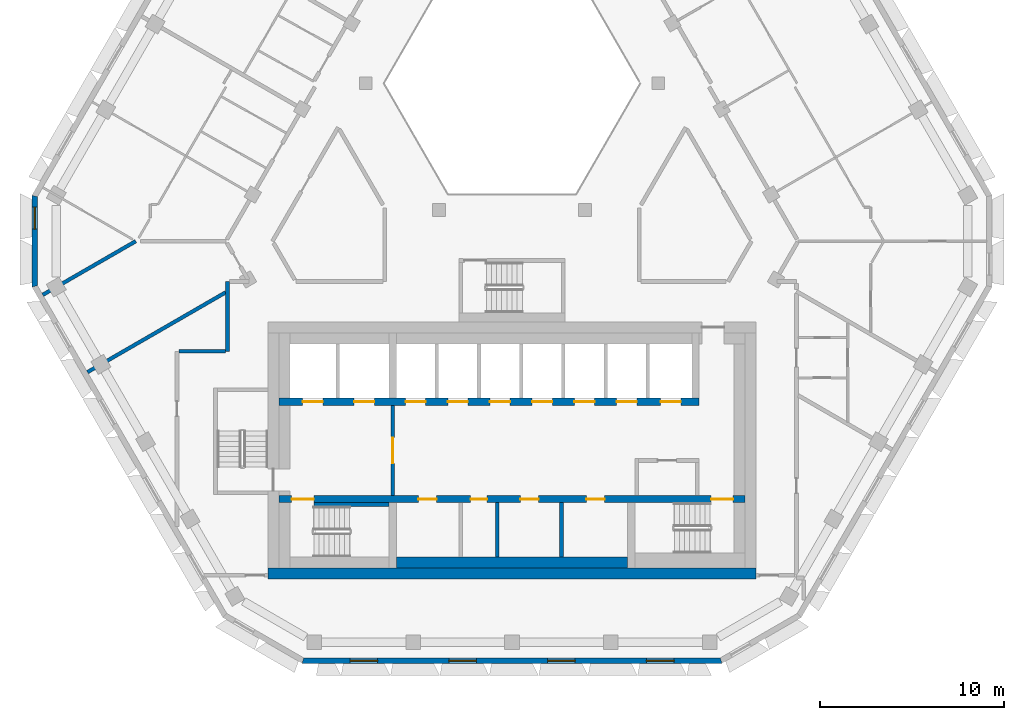
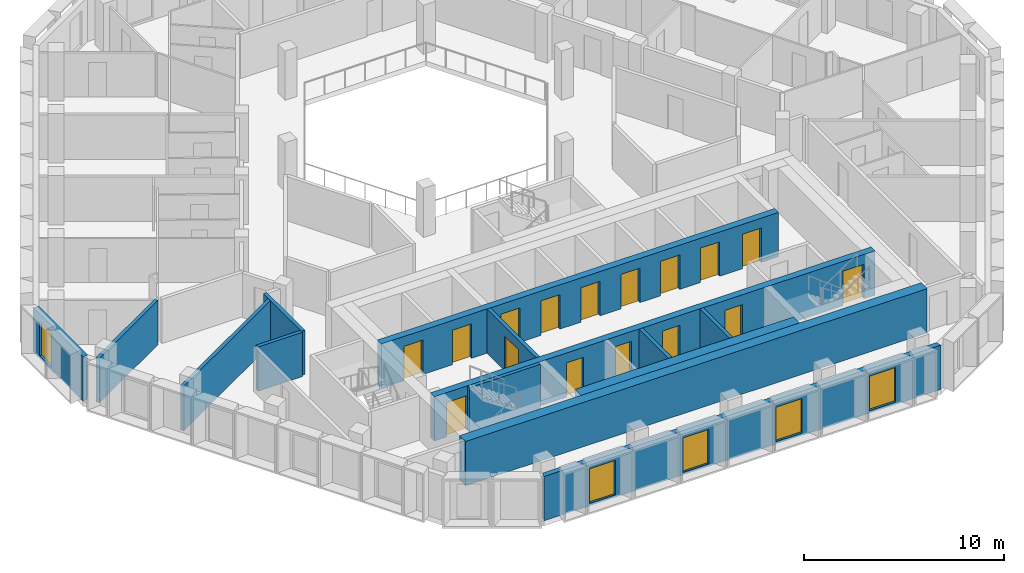
# One storey, part 3 of 15: 16 doors, 14 walls, 5 windows, 21 openings.
"""IFC4 building model written with IfcOpenShell, lengths in metres."""

from ifc_helpers import new_model, si_unit, direction, frame, frame_2d, origin, place, context, subcontext, project, spatial, polyline, rectangle, outline, extrude, material, layer, layer_set, type_object, element, fill, save


model = new_model("IFC4")

# Units and contexts
model_context = context("Model", 3, precision=1e-05, world=origin(), true_north=direction((0.0, 1.0)))
body_context = subcontext(model_context, "Body", "Model", "MODEL_VIEW")
ifc_project = project(units=[si_unit("LENGTHUNIT", "METRE"), si_unit("AREAUNIT", "SQUARE_METRE"), si_unit("VOLUMEUNIT", "CUBIC_METRE"), si_unit("PLANEANGLEUNIT", "RADIAN"), si_unit("MASSUNIT", "GRAM", prefix="KILO")], contexts=[model_context])

# Site, building, storey
site_placement = place(None, origin())
site = spatial("IfcSite", under=ifc_project, at=site_placement, CompositionType="ELEMENT")
building_placement = place(site_placement, origin())
building = spatial("IfcBuilding", under=site, at=building_placement, Name="Beryl Residences", CompositionType="ELEMENT")
storey_placement = place(building_placement, frame((0.0, 0.0, 163.199951171875)))
storey = spatial("IfcBuildingStorey", under=building, at=storey_placement, Name="L49", CompositionType="ELEMENT", Elevation=163.199951171875)

# Wall, opening, window
ifc_material_1 = material(Name="Composite metal panel with mineral wool insulation")
ifc_layer_1 = layer(ifc_material_1, 0.300048828125)
ifc_layer_set_1 = layer_set([ifc_layer_1], Name="ES1 pale metal composite panel wall 300 mm")
wall_type_1 = type_object("IfcWallType", Name="ES1 pale metal composite panel wall 300 mm", PredefinedType="SOLIDWALL", material=ifc_layer_set_1)
wall_1_placement = place(storey_placement, frame((-26.00390625, 1.89990234375, 0.0), z_axis=(0.0, 0.0, 1.0), x_axis=(0.0, -1.0, 0.0)))
wall_1 = element("IfcWall", 1, at=wall_1_placement, inside=storey, type_object=wall_type_1, Name="ES1 external wall L49 NW-SW", PredefinedType="SOLIDWALL", context=body_context, shape_type="SweptSolid", body=[
    extrude(outline(polyline([(0.0, -0.14990234375), (5.0, -0.14990234375), (4.919677734375, 0.14990234375), (0.080322265625, 0.14990234375), (0.0, -0.14990234375)])), origin(), (0.0, 0.0, 1.0), 2.699951171875),
])
opening_1_placement = place(wall_1_placement, frame((0.64990234375, 0.0, 0.14990234375)))
opening_1 = element("IfcOpeningElement", 2, at=opening_1_placement, cuts=wall_1, Name="Opening W2", PredefinedType="OPENING", context=body_context, shape_type="SweptSolid", body=[
    extrude(rectangle(XDim=1.199951171875, YDim=2.10009765625, at=frame_2d((0.60009765625, 1.050048828125))), frame((0.0, 0.159912109375, 0.0), z_axis=(0.0, -1.0, 0.0), x_axis=(1.0, 0.0, 0.0)), (0.0, 0.0, 1.0), 0.320068359375),
])
ifc_material_2 = material(Name="Aluminium and clear glass", Category="aluminium")
window_type_1 = type_object("IfcWindowType", Name="W2 chamfer window 1200 x 2100 mm", PartitioningType="SINGLE_PANEL", PredefinedType="WINDOW", material=ifc_material_2)
window_1_placement = place(opening_1_placement, origin())
window_1 = element("IfcWindow", 3, at=window_1_placement, inside=storey, type_object=window_type_1, Name="W2 window L49 NW-SW 1", OverallHeight=2.10009765625, OverallWidth=1.199951171875, PartitioningType="SINGLE_PANEL", PredefinedType="WINDOW", context=body_context, shape_type="SweptSolid", body=[
    extrude(rectangle(XDim=1.199951171875, YDim=2.10009765625, at=frame_2d((0.60009765625, 1.050048828125))), frame((0.0, 0.030029296875, 0.0), z_axis=(0.0, -1.0, 0.0), x_axis=(1.0, 0.0, 0.0)), (0.0, 0.0, 1.0), 0.06005859375),
])
fill(opening_1, window_1)

# Wall, openings, windows
wall_2_placement = place(storey_placement, frame((-11.430908203125, -23.449951171875, 0.0), z_axis=(0.0, 0.0, 1.0), x_axis=(1.0, 0.0, 0.0)))
wall_2 = element("IfcWall", 4, at=wall_2_placement, inside=storey, type_object=wall_type_1, Name="ES1 external wall L49 S", PredefinedType="SOLIDWALL", context=body_context, shape_type="SweptSolid", body=[
    extrude(outline(polyline([(0.0, -0.14990234375), (22.86181640625, -0.14990234375), (22.781494140625, 0.14990234375), (0.080322265625, 0.14990234375), (0.0, -0.14990234375)])), origin(), (0.0, 0.0, 1.0), 2.699951171875),
])
opening_2_placement = place(wall_2_placement, frame((2.60595703125, 0.0, 0.14990234375)))
opening_2 = element("IfcOpeningElement", 5, at=opening_2_placement, cuts=wall_2, Name="Opening W1", PredefinedType="OPENING", context=body_context, shape_type="SweptSolid", body=[
    extrude(rectangle(XDim=1.5, YDim=2.10009765625, at=frame_2d((0.75, 1.050048828125))), frame((0.0, 0.159912109375, 0.0), z_axis=(0.0, -1.0, 0.0), x_axis=(1.0, 0.0, 0.0)), (0.0, 0.0, 1.0), 0.320068359375),
])
opening_3_placement = place(wall_2_placement, frame((7.989990234375, 0.0, 0.14990234375)))
opening_3 = element("IfcOpeningElement", 6, at=opening_3_placement, cuts=wall_2, Name="Opening W1", PredefinedType="OPENING", context=body_context, shape_type="SweptSolid", body=[
    extrude(rectangle(XDim=1.5, YDim=2.10009765625, at=frame_2d((0.75, 1.050048828125))), frame((0.0, 0.159912109375, 0.0), z_axis=(0.0, -1.0, 0.0), x_axis=(1.0, 0.0, 0.0)), (0.0, 0.0, 1.0), 0.320068359375),
])
opening_4_placement = place(wall_2_placement, frame((13.3740234375, 0.0, 0.14990234375)))
opening_4 = element("IfcOpeningElement", 7, at=opening_4_placement, cuts=wall_2, Name="Opening W1", PredefinedType="OPENING", context=body_context, shape_type="SweptSolid", body=[
    extrude(rectangle(XDim=1.5, YDim=2.10009765625, at=frame_2d((0.75, 1.050048828125))), frame((0.0, 0.159912109375, 0.0), z_axis=(0.0, -1.0, 0.0), x_axis=(1.0, 0.0, 0.0)), (0.0, 0.0, 1.0), 0.320068359375),
])
opening_5_placement = place(wall_2_placement, frame((18.758056640625, 0.0, 0.14990234375)))
opening_5 = element("IfcOpeningElement", 8, at=opening_5_placement, cuts=wall_2, Name="Opening W1", PredefinedType="OPENING", context=body_context, shape_type="SweptSolid", body=[
    extrude(rectangle(XDim=1.5, YDim=2.10009765625, at=frame_2d((0.75, 1.050048828125))), frame((0.0, 0.159912109375, 0.0), z_axis=(0.0, -1.0, 0.0), x_axis=(1.0, 0.0, 0.0)), (0.0, 0.0, 1.0), 0.320068359375),
])
ifc_material_3 = material(Name="Aluminium and clear glass", Category="aluminium")
window_type_2 = type_object("IfcWindowType", Name="W1 cell window 1500 x 2100 mm", PartitioningType="SINGLE_PANEL", PredefinedType="WINDOW", material=ifc_material_3)
window_2_placement = place(opening_2_placement, origin())
window_2 = element("IfcWindow", 9, at=window_2_placement, inside=storey, type_object=window_type_2, Name="W1 window L49 S 2", OverallHeight=2.10009765625, OverallWidth=1.5, PartitioningType="SINGLE_PANEL", PredefinedType="WINDOW", context=body_context, shape_type="SweptSolid", body=[
    extrude(rectangle(XDim=1.5, YDim=2.10009765625, at=frame_2d((0.75, 1.050048828125))), frame((0.0, 0.030029296875, 0.0), z_axis=(0.0, -1.0, 0.0), x_axis=(1.0, 0.0, 0.0)), (0.0, 0.0, 1.0), 0.06005859375),
])
fill(opening_2, window_2)
window_3_placement = place(opening_3_placement, origin())
window_3 = element("IfcWindow", 10, at=window_3_placement, inside=storey, type_object=window_type_2, Name="W1 window L49 S 4", OverallHeight=2.10009765625, OverallWidth=1.5, PartitioningType="SINGLE_PANEL", PredefinedType="WINDOW", context=body_context, shape_type="SweptSolid", body=[
    extrude(rectangle(XDim=1.5, YDim=2.10009765625, at=frame_2d((0.75, 1.050048828125))), frame((0.0, 0.030029296875, 0.0), z_axis=(0.0, -1.0, 0.0), x_axis=(1.0, 0.0, 0.0)), (0.0, 0.0, 1.0), 0.06005859375),
])
fill(opening_3, window_3)
window_4_placement = place(opening_4_placement, origin())
window_4 = element("IfcWindow", 11, at=window_4_placement, inside=storey, type_object=window_type_2, Name="W1 window L49 S 6", OverallHeight=2.10009765625, OverallWidth=1.5, PartitioningType="SINGLE_PANEL", PredefinedType="WINDOW", context=body_context, shape_type="SweptSolid", body=[
    extrude(rectangle(XDim=1.5, YDim=2.10009765625, at=frame_2d((0.75, 1.050048828125))), frame((0.0, 0.030029296875, 0.0), z_axis=(0.0, -1.0, 0.0), x_axis=(1.0, 0.0, 0.0)), (0.0, 0.0, 1.0), 0.06005859375),
])
fill(opening_4, window_4)
window_5_placement = place(opening_5_placement, origin())
window_5 = element("IfcWindow", 12, at=window_5_placement, inside=storey, type_object=window_type_2, Name="W1 window L49 S 8", OverallHeight=2.10009765625, OverallWidth=1.5, PartitioningType="SINGLE_PANEL", PredefinedType="WINDOW", context=body_context, shape_type="SweptSolid", body=[
    extrude(rectangle(XDim=1.5, YDim=2.10009765625, at=frame_2d((0.75, 1.050048828125))), frame((0.0, 0.030029296875, 0.0), z_axis=(0.0, -1.0, 0.0), x_axis=(1.0, 0.0, 0.0)), (0.0, 0.0, 1.0), 0.06005859375),
])
fill(opening_5, window_5)

# Wall, opening, door
ifc_material_4 = material(Name="Concrete masonry", Category="masonry")
ifc_layer_2 = layer(ifc_material_4, 0.199951171875)
ifc_layer_set_2 = layer_set([ifc_layer_2], Name="PT13 lobby wall 200 mm")
wall_type_2 = type_object("IfcWallType", Name="PT13 lobby wall 200 mm", PredefinedType="PARTITIONING", material=ifc_layer_set_2)
wall_3_placement = place(storey_placement, frame((-6.5, -14.449951171875, 0.0), z_axis=(0.0, 0.0, 1.0), x_axis=(0.0, 1.0, 0.0)))
wall_3 = element("IfcWall", 13, at=wall_3_placement, inside=storey, type_object=wall_type_2, Name="Lobby wall 12", PredefinedType="PARTITIONING", context=body_context, shape_type="SweptSolid", body=[
    extrude(rectangle(XDim=4.89990234375, YDim=0.199951171875, at=frame_2d((2.449951171875, 0.0))), origin(), (0.0, 0.0, 1.0), 2.699951171875),
])
opening_6_placement = place(wall_3_placement, frame((3.14990234375, 0.0, 0.0), z_axis=(0.0, 0.0, 1.0), x_axis=(-1.0, 0.0, 0.0)))
opening_6 = element("IfcOpeningElement", 14, at=opening_6_placement, cuts=wall_3, Name="Opening FD-FFL", PredefinedType="OPENING", context=body_context, shape_type="SweptSolid", body=[
    extrude(rectangle(XDim=1.39990234375, YDim=2.10009765625, at=frame_2d((0.699951171875, 1.050048828125))), frame((0.0, 0.10986328125, 0.0), z_axis=(0.0, -1.0, 0.0), x_axis=(1.0, 0.0, 0.0)), (0.0, 0.0, 1.0), 0.219970703125),
])
ifc_material_5 = material(Name="Steel door leaf in steel frame", Category="steel")
door_type_1 = type_object("IfcDoorType", Name="D5 lobby door 1400 x 2100 mm", OperationType="DOUBLE_DOOR_SINGLE_SWING", PredefinedType="DOOR", material=ifc_material_5)
door_1_placement = place(opening_6_placement, origin())
door_1 = element("IfcDoor", 15, at=door_1_placement, inside=storey, type_object=door_type_1, Name="Door FD-FFL L49 001", OperationType="DOUBLE_DOOR_SINGLE_SWING", OverallHeight=2.10009765625, OverallWidth=1.39990234375, PredefinedType="DOOR", context=body_context, shape_type="SweptSolid", body=[
    extrude(rectangle(XDim=1.39990234375, YDim=2.10009765625, at=frame_2d((0.699951171875, 1.050048828125))), frame((0.0, 0.02490234375, 0.0), z_axis=(0.0, -1.0, 0.0), x_axis=(1.0, 0.0, 0.0)), (0.0, 0.0, 1.0), 0.050048828125),
])
fill(opening_6, door_1)

# Walls
ifc_material_6 = material(Name="Acoustic double stud gypsum board wall")
ifc_layer_3 = layer(ifc_material_6, 0.199951171875)
ifc_layer_set_3 = layer_set([ifc_layer_3], Name="PT3 party wall 200 mm acoustic double stud")
wall_type_3 = type_object("IfcWallType", Name="PT3 party wall 200 mm acoustic double stud", PredefinedType="PARTITIONING", material=ifc_layer_set_3)
wall_4_placement = place(storey_placement, frame((-23.1298828125, -7.737060546875, 0.0), z_axis=(0.0, 0.0, 1.0), x_axis=(0.86598451299, 0.500070818246, 0.0)))
element("IfcWall", 16, at=wall_4_placement, inside=storey, type_object=wall_type_3, Name="Wall PT3 L49 010", PredefinedType="PARTITIONING", context=body_context, shape_type="SweptSolid", body=[
    extrude(rectangle(XDim=8.695068359375, YDim=0.199951171875, at=frame_2d((4.34765625, 0.0))), origin(), (0.0, 0.0, 1.0), 2.699951171875),
])
wall_5_placement = place(storey_placement, frame((-25.56298828125, -3.52392578125, 0.0), z_axis=(0.0, 0.0, 1.0), x_axis=(0.866128586522, 0.499821239653, 0.0)))
element("IfcWall", 17, at=wall_5_placement, inside=storey, type_object=wall_type_3, Name="Wall PT3 L49 011", PredefinedType="PARTITIONING", context=body_context, shape_type="SweptSolid", body=[
    extrude(rectangle(XDim=5.847900390625, YDim=0.199951171875, at=frame_2d((2.923828125, 0.0))), origin(), (0.0, 0.0, 1.0), 2.699951171875),
])
ifc_material_7 = material(Name="Double stud gypsum board wall")
ifc_layer_4 = layer(ifc_material_7, 0.199951171875)
ifc_layer_set_4 = layer_set([ifc_layer_4], Name="PT4 corridor wall 200 mm double stud")
wall_type_4 = type_object("IfcWallType", Name="PT4 corridor wall 200 mm double stud", PredefinedType="PARTITIONING", material=ifc_layer_set_4)
wall_6_placement = place(storey_placement, frame((-18.14892578125, -6.60009765625, 0.0), z_axis=(0.0, 0.0, 1.0), x_axis=(1.0, 0.0, 0.0)))
element("IfcWall", 18, at=wall_6_placement, inside=storey, type_object=wall_type_4, Name="Wall PT4 L49 008", PredefinedType="PARTITIONING", context=body_context, shape_type="SweptSolid", body=[
    extrude(rectangle(XDim=2.548828125, YDim=0.199951171875, at=frame_2d((1.2744140625, 0.0))), origin(), (0.0, 0.0, 1.0), 2.699951171875),
])
wall_7_placement = place(storey_placement, frame((-15.5, -6.60009765625, 0.0), z_axis=(0.0, 0.0, 1.0), x_axis=(0.0, 1.0, 0.0)))
element("IfcWall", 19, at=wall_7_placement, inside=storey, type_object=wall_type_4, Name="Wall PT4 L49 024", PredefinedType="PARTITIONING", context=body_context, shape_type="SweptSolid", body=[
    extrude(rectangle(XDim=3.799072265625, YDim=0.199951171875, at=frame_2d((1.8994140625, 0.0))), origin(), (0.0, 0.0, 1.0), 2.699951171875),
])
ifc_material_8 = material(Name="Concrete C40/50", Category="concrete")
ifc_layer_5 = layer(ifc_material_8, 0.199951171875)
ifc_layer_set_5 = layer_set([ifc_layer_5], Name="PT5 stair enclosure wall 200 mm reinforced concrete C40/50")
wall_type_5 = type_object("IfcWallType", Name="PT5 stair enclosure wall 200 mm reinforced concrete C40/50", PredefinedType="SOLIDWALL", material=ifc_layer_set_5)
wall_8_placement = place(storey_placement, frame((-10.800048828125, -14.949951171875, 0.0), z_axis=(0.0, 0.0, 1.0), x_axis=(1.0, 0.0, 0.0)))
element("IfcWall", 20, at=wall_8_placement, inside=storey, type_object=wall_type_5, Name="Stair wall 10", PredefinedType="SOLIDWALL", context=body_context, shape_type="SweptSolid", body=[
    extrude(rectangle(XDim=4.10009765625, YDim=0.199951171875, at=frame_2d((2.050048828125, 0.0))), origin(), (0.0, 0.0, 1.0), 2.699951171875),
])
ifc_material_9 = material(Name="Concrete masonry", Category="masonry")
ifc_layer_6 = layer(ifc_material_9, 0.199951171875)
ifc_layer_set_6 = layer_set([ifc_layer_6], Name="PT8-200 service room wall 200 mm")
wall_type_6 = type_object("IfcWallType", Name="PT8-200 service room wall 200 mm", PredefinedType="PARTITIONING", material=ifc_layer_set_6)
for number, where, z_axis, x_axis, name in (
    (21, (-0.800048828125, -17.800048828125, 0.0), (0.0, 0.0, 1.0), (0.0, 1.0, 0.0), "Core room wall 18"),
    (22, (2.699951171875, -17.800048828125, 0.0), (0.0, 0.0, 1.0), (0.0, 1.0, 0.0), "Core room wall 20"),
):
    element("IfcWall", number, at=place(storey_placement, frame(where, z_axis=z_axis, x_axis=x_axis)), inside=storey, type_object=wall_type_6, Name=name, PredefinedType="PARTITIONING", context=body_context, shape_type="SweptSolid", body=[
        extrude(rectangle(XDim=2.949951171875, YDim=0.199951171875, at=frame_2d((1.47509765625, 0.0))), origin(), (0.0, 0.0, 1.0), 2.699951171875),
    ])
ifc_material_10 = material(Name="Concrete masonry", Category="masonry")
ifc_layer_7 = layer(ifc_material_10, 0.60009765625)
ifc_layer_set_7 = layer_set([ifc_layer_7], Name="PT8-600 service room wall 600 mm")
wall_type_7 = type_object("IfcWallType", Name="PT8-600 service room wall 600 mm", PredefinedType="PARTITIONING", material=ifc_layer_set_7)
wall_9_placement = place(storey_placement, frame((-6.300048828125, -18.10009765625, 0.0), z_axis=(0.0, 0.0, 1.0), x_axis=(1.0, 0.0, 0.0)))
element("IfcWall", 23, at=wall_9_placement, inside=storey, type_object=wall_type_7, Name="Core room wall 13", PredefinedType="PARTITIONING", context=body_context, shape_type="SweptSolid", body=[
    extrude(rectangle(XDim=12.60009765625, YDim=0.60009765625, at=frame_2d((6.300048828125, 0.0))), origin(), (0.0, 0.0, 1.0), 2.699951171875),
])
ifc_material_11 = material(Name="Concrete C50/60", Category="concrete")
ifc_layer_8 = layer(ifc_material_11, 0.60009765625)
ifc_layer_set_8 = layer_set([ifc_layer_8], Name="SW4 core outer wall 600 mm C50/60")
wall_type_8 = type_object("IfcWallType", Name="SW4 core outer wall 600 mm C50/60", PredefinedType="SHEAR", material=ifc_layer_set_8)
wall_10_placement = place(storey_placement, frame((-13.300048828125, -18.699951171875, 0.0), z_axis=(0.0, 0.0, 1.0), x_axis=(1.0, 0.0, 0.0)))
element("IfcWall", 24, at=wall_10_placement, inside=storey, type_object=wall_type_8, Name="Core wall S L49", PredefinedType="SHEAR", context=body_context, shape_type="SweptSolid", body=[
    extrude(rectangle(XDim=26.60009765625, YDim=0.60009765625, at=frame_2d((13.300048828125, 0.0))), origin(), (0.0, 0.0, 1.0), 2.699951171875),
])

# Wall, openings, doors
ifc_material_12 = material(Name="Concrete C50/60", Category="concrete")
ifc_layer_9 = layer(ifc_material_12, 0.39990234375)
ifc_layer_set_9 = layer_set([ifc_layer_9], Name="SW9 core internal wall 400 mm C50/60")
wall_type_9 = type_object("IfcWallType", Name="SW9 core internal wall 400 mm C50/60", PredefinedType="SHEAR", material=ifc_layer_set_9)
wall_11_placement = place(storey_placement, frame((-12.699951171875, -14.64990234375, 0.0), z_axis=(0.0, 0.0, 1.0), x_axis=(1.0, 0.0, 0.0)))
wall_11 = element("IfcWall", 25, at=wall_11_placement, inside=storey, type_object=wall_type_9, Name="Core wall SP1 L49", PredefinedType="SHEAR", context=body_context, shape_type="SweptSolid", body=[
    extrude(rectangle(XDim=25.39990234375, YDim=0.39990234375, at=frame_2d((12.699951171875, 0.0))), origin(), (0.0, 0.0, 1.0), 2.699951171875),
])
opening_7_placement = place(wall_11_placement, frame((1.89990234375, 0.0, 0.0), z_axis=(0.0, 0.0, 1.0), x_axis=(-1.0, 0.0, 0.0)))
opening_7 = element("IfcOpeningElement", 26, at=opening_7_placement, cuts=wall_11, Name="Opening SD-1", PredefinedType="OPENING", context=body_context, shape_type="SweptSolid", body=[
    extrude(rectangle(XDim=1.199951171875, YDim=2.10009765625, at=frame_2d((0.60009765625, 1.050048828125))), frame((0.0, 0.2099609375, 0.0), z_axis=(0.0, -1.0, 0.0), x_axis=(1.0, 0.0, 0.0)), (0.0, 0.0, 1.0), 0.419921875),
])
opening_8_placement = place(wall_11_placement, frame((24.75, 0.0, 0.0), z_axis=(0.0, 0.0, 1.0), x_axis=(-1.0, 0.0, 0.0)))
opening_8 = element("IfcOpeningElement", 27, at=opening_8_placement, cuts=wall_11, Name="Opening SD-3", PredefinedType="OPENING", context=body_context, shape_type="SweptSolid", body=[
    extrude(rectangle(XDim=1.199951171875, YDim=2.10009765625, at=frame_2d((0.60009765625, 1.050048828125))), frame((0.0, 0.2099609375, 0.0), z_axis=(0.0, -1.0, 0.0), x_axis=(1.0, 0.0, 0.0)), (0.0, 0.0, 1.0), 0.419921875),
])
opening_9_placement = place(wall_11_placement, frame((8.60009765625, 0.0, 0.0), z_axis=(0.0, 0.0, 1.0), x_axis=(-1.0, 0.0, 0.0)))
opening_9 = element("IfcOpeningElement", 28, at=opening_9_placement, cuts=wall_11, Name="Opening CD-D-S1", PredefinedType="OPENING", context=body_context, shape_type="SweptSolid", body=[
    extrude(rectangle(XDim=1.0, YDim=2.10009765625, at=frame_2d((0.5, 1.050048828125))), frame((0.0, 0.2099609375, 0.0), z_axis=(0.0, -1.0, 0.0), x_axis=(1.0, 0.0, 0.0)), (0.0, 0.0, 1.0), 0.419921875),
])
opening_10_placement = place(wall_11_placement, frame((11.349853515625, 0.0, 0.0), z_axis=(0.0, 0.0, 1.0), x_axis=(-1.0, 0.0, 0.0)))
opening_10 = element("IfcOpeningElement", 29, at=opening_10_placement, cuts=wall_11, Name="Opening CD-D-S2-900", PredefinedType="OPENING", context=body_context, shape_type="SweptSolid", body=[
    extrude(rectangle(XDim=0.89990234375, YDim=2.10009765625, at=frame_2d((0.449951171875, 1.050048828125))), frame((0.0, 0.2099609375, 0.0), z_axis=(0.0, -1.0, 0.0), x_axis=(1.0, 0.0, 0.0)), (0.0, 0.0, 1.0), 0.419921875),
])
opening_11_placement = place(wall_11_placement, frame((14.14990234375, 0.0, 0.0), z_axis=(0.0, 0.0, 1.0), x_axis=(-1.0, 0.0, 0.0)))
opening_11 = element("IfcOpeningElement", 30, at=opening_11_placement, cuts=wall_11, Name="Opening CD-D-S3", PredefinedType="OPENING", context=body_context, shape_type="SweptSolid", body=[
    extrude(rectangle(XDim=1.0, YDim=2.10009765625, at=frame_2d((0.5, 1.050048828125))), frame((0.0, 0.2099609375, 0.0), z_axis=(0.0, -1.0, 0.0), x_axis=(1.0, 0.0, 0.0)), (0.0, 0.0, 1.0), 0.419921875),
])
opening_12_placement = place(wall_11_placement, frame((17.75, 0.0, 0.0), z_axis=(0.0, 0.0, 1.0), x_axis=(-1.0, 0.0, 0.0)))
opening_12 = element("IfcOpeningElement", 31, at=opening_12_placement, cuts=wall_11, Name="Opening CD-D-S4", PredefinedType="OPENING", context=body_context, shape_type="SweptSolid", body=[
    extrude(rectangle(XDim=1.0, YDim=2.10009765625, at=frame_2d((0.5, 1.050048828125))), frame((0.0, 0.2099609375, 0.0), z_axis=(0.0, -1.0, 0.0), x_axis=(1.0, 0.0, 0.0)), (0.0, 0.0, 1.0), 0.419921875),
])
ifc_material_13 = material(Name="Steel door leaf in steel frame", Category="steel")
door_type_2 = type_object("IfcDoorType", Name="D18 service room door 1000 x 2100 mm", OperationType="SINGLE_SWING_LEFT", PredefinedType="DOOR", material=ifc_material_13)
door_2_placement = place(opening_9_placement, origin())
door_2 = element("IfcDoor", 32, at=door_2_placement, inside=storey, type_object=door_type_2, Name="Door CD-D-S1 L49 001", OperationType="SINGLE_SWING_RIGHT", OverallHeight=2.10009765625, OverallWidth=1.0, PredefinedType="DOOR", context=body_context, shape_type="SweptSolid", body=[
    extrude(rectangle(XDim=1.0, YDim=2.10009765625, at=frame_2d((0.5, 1.050048828125))), frame((0.0, 0.02490234375, 0.0), z_axis=(0.0, -1.0, 0.0), x_axis=(1.0, 0.0, 0.0)), (0.0, 0.0, 1.0), 0.050048828125),
])
fill(opening_9, door_2)
door_3_placement = place(opening_11_placement, origin())
door_3 = element("IfcDoor", 33, at=door_3_placement, inside=storey, type_object=door_type_2, Name="Door CD-D-S3 L49 001", OperationType="SINGLE_SWING_RIGHT", OverallHeight=2.10009765625, OverallWidth=1.0, PredefinedType="DOOR", context=body_context, shape_type="SweptSolid", body=[
    extrude(rectangle(XDim=1.0, YDim=2.10009765625, at=frame_2d((0.5, 1.050048828125))), frame((0.0, 0.02490234375, 0.0), z_axis=(0.0, -1.0, 0.0), x_axis=(1.0, 0.0, 0.0)), (0.0, 0.0, 1.0), 0.050048828125),
])
fill(opening_11, door_3)
door_4_placement = place(opening_12_placement, origin())
door_4 = element("IfcDoor", 34, at=door_4_placement, inside=storey, type_object=door_type_2, Name="Door CD-D-S4 L49 001", OperationType="SINGLE_SWING_LEFT", OverallHeight=2.10009765625, OverallWidth=1.0, PredefinedType="DOOR", context=body_context, shape_type="SweptSolid", body=[
    extrude(rectangle(XDim=1.0, YDim=2.10009765625, at=frame_2d((0.5, 1.050048828125))), frame((0.0, 0.02490234375, 0.0), z_axis=(0.0, -1.0, 0.0), x_axis=(1.0, 0.0, 0.0)), (0.0, 0.0, 1.0), 0.050048828125),
])
fill(opening_12, door_4)
ifc_material_14 = material(Name="Steel door leaf in steel frame", Category="steel")
door_type_3 = type_object("IfcDoorType", Name="D4 stair door 1200 x 2100 mm", OperationType="SINGLE_SWING_LEFT", PredefinedType="DOOR", material=ifc_material_14)
door_5_placement = place(opening_7_placement, origin())
door_5 = element("IfcDoor", 35, at=door_5_placement, inside=storey, type_object=door_type_3, Name="Door SD-1 L49 001", OperationType="SINGLE_SWING_RIGHT", OverallHeight=2.10009765625, OverallWidth=1.199951171875, PredefinedType="DOOR", context=body_context, shape_type="SweptSolid", body=[
    extrude(rectangle(XDim=1.199951171875, YDim=2.10009765625, at=frame_2d((0.60009765625, 1.050048828125))), frame((0.0, 0.02490234375, 0.0), z_axis=(0.0, -1.0, 0.0), x_axis=(1.0, 0.0, 0.0)), (0.0, 0.0, 1.0), 0.050048828125),
])
fill(opening_7, door_5)
door_6_placement = place(opening_8_placement, origin())
door_6 = element("IfcDoor", 36, at=door_6_placement, inside=storey, type_object=door_type_3, Name="Door SD-3 L49 001", OperationType="SINGLE_SWING_RIGHT", OverallHeight=2.10009765625, OverallWidth=1.199951171875, PredefinedType="DOOR", context=body_context, shape_type="SweptSolid", body=[
    extrude(rectangle(XDim=1.199951171875, YDim=2.10009765625, at=frame_2d((0.60009765625, 1.050048828125))), frame((0.0, 0.02490234375, 0.0), z_axis=(0.0, -1.0, 0.0), x_axis=(1.0, 0.0, 0.0)), (0.0, 0.0, 1.0), 0.050048828125),
])
fill(opening_8, door_6)
ifc_material_15 = material(Name="Steel door leaf in steel frame", Category="steel")
door_type_4 = type_object("IfcDoorType", Name="D6 service room door 900 x 2100 mm", OperationType="SINGLE_SWING_LEFT", PredefinedType="DOOR", material=ifc_material_15)
door_7_placement = place(opening_10_placement, origin())
door_7 = element("IfcDoor", 37, at=door_7_placement, inside=storey, type_object=door_type_4, Name="Door CD-D-S2-900 L49 001", OperationType="SINGLE_SWING_LEFT", OverallHeight=2.10009765625, OverallWidth=0.89990234375, PredefinedType="DOOR", context=body_context, shape_type="SweptSolid", body=[
    extrude(rectangle(XDim=0.89990234375, YDim=2.10009765625, at=frame_2d((0.449951171875, 1.050048828125))), frame((0.0, 0.02490234375, 0.0), z_axis=(0.0, -1.0, 0.0), x_axis=(1.0, 0.0, 0.0)), (0.0, 0.0, 1.0), 0.050048828125),
])
fill(opening_10, door_7)

wall_12_placement = place(storey_placement, frame((-12.699951171875, -9.35009765625, 0.0), z_axis=(0.0, 0.0, 1.0), x_axis=(1.0, 0.0, 0.0)))
wall_12 = element("IfcWall", 38, at=wall_12_placement, inside=storey, type_object=wall_type_9, Name="Core wall SP2 L49", PredefinedType="SHEAR", context=body_context, shape_type="SweptSolid", body=[
    extrude(rectangle(XDim=22.89990234375, YDim=0.39990234375, at=frame_2d((11.449951171875, 0.0))), origin(), (0.0, 0.0, 1.0), 2.699951171875),
])
opening_13_placement = place(wall_12_placement, frame((1.300048828125, 0.0, 0.0)))
opening_13 = element("IfcOpeningElement", 39, at=opening_13_placement, cuts=wall_12, Name="Opening LD-FF1", PredefinedType="OPENING", context=body_context, shape_type="SweptSolid", body=[
    extrude(rectangle(XDim=1.10009765625, YDim=2.10009765625, at=frame_2d((0.550048828125, 1.050048828125))), frame((0.0, 0.2099609375, 0.0), z_axis=(0.0, -1.0, 0.0), x_axis=(1.0, 0.0, 0.0)), (0.0, 0.0, 1.0), 0.419921875),
])
opening_14_placement = place(wall_12_placement, frame((4.10009765625, 0.0, 0.0)))
opening_14 = element("IfcOpeningElement", 40, at=opening_14_placement, cuts=wall_12, Name="Opening LD-FF2", PredefinedType="OPENING", context=body_context, shape_type="SweptSolid", body=[
    extrude(rectangle(XDim=1.10009765625, YDim=2.10009765625, at=frame_2d((0.550048828125, 1.050048828125))), frame((0.0, 0.2099609375, 0.0), z_axis=(0.0, -1.0, 0.0), x_axis=(1.0, 0.0, 0.0)), (0.0, 0.0, 1.0), 0.419921875),
])
opening_15_placement = place(wall_12_placement, frame((6.89990234375, 0.0, 0.0)))
opening_15 = element("IfcOpeningElement", 41, at=opening_15_placement, cuts=wall_12, Name="Opening LD-HR1", PredefinedType="OPENING", context=body_context, shape_type="SweptSolid", body=[
    extrude(rectangle(XDim=1.10009765625, YDim=2.10009765625, at=frame_2d((0.550048828125, 1.050048828125))), frame((0.0, 0.2099609375, 0.0), z_axis=(0.0, -1.0, 0.0), x_axis=(1.0, 0.0, 0.0)), (0.0, 0.0, 1.0), 0.419921875),
])
opening_16_placement = place(wall_12_placement, frame((9.199951171875, 0.0, 0.0)))
opening_16 = element("IfcOpeningElement", 42, at=opening_16_placement, cuts=wall_12, Name="Opening LD-HR2", PredefinedType="OPENING", context=body_context, shape_type="SweptSolid", body=[
    extrude(rectangle(XDim=1.10009765625, YDim=2.10009765625, at=frame_2d((0.550048828125, 1.050048828125))), frame((0.0, 0.2099609375, 0.0), z_axis=(0.0, -1.0, 0.0), x_axis=(1.0, 0.0, 0.0)), (0.0, 0.0, 1.0), 0.419921875),
])
opening_17_placement = place(wall_12_placement, frame((11.5, 0.0, 0.0)))
opening_17 = element("IfcOpeningElement", 43, at=opening_17_placement, cuts=wall_12, Name="Opening LD-HR3", PredefinedType="OPENING", context=body_context, shape_type="SweptSolid", body=[
    extrude(rectangle(XDim=1.10009765625, YDim=2.10009765625, at=frame_2d((0.550048828125, 1.050048828125))), frame((0.0, 0.2099609375, 0.0), z_axis=(0.0, -1.0, 0.0), x_axis=(1.0, 0.0, 0.0)), (0.0, 0.0, 1.0), 0.419921875),
])
opening_18_placement = place(wall_12_placement, frame((13.800048828125, 0.0, 0.0)))
opening_18 = element("IfcOpeningElement", 44, at=opening_18_placement, cuts=wall_12, Name="Opening LD-HR4", PredefinedType="OPENING", context=body_context, shape_type="SweptSolid", body=[
    extrude(rectangle(XDim=1.10009765625, YDim=2.10009765625, at=frame_2d((0.550048828125, 1.050048828125))), frame((0.0, 0.2099609375, 0.0), z_axis=(0.0, -1.0, 0.0), x_axis=(1.0, 0.0, 0.0)), (0.0, 0.0, 1.0), 0.419921875),
])
opening_19_placement = place(wall_12_placement, frame((16.10009765625, 0.0, 0.0)))
opening_19 = element("IfcOpeningElement", 45, at=opening_19_placement, cuts=wall_12, Name="Opening LD-HR5", PredefinedType="OPENING", context=body_context, shape_type="SweptSolid", body=[
    extrude(rectangle(XDim=1.10009765625, YDim=2.10009765625, at=frame_2d((0.550048828125, 1.050048828125))), frame((0.0, 0.2099609375, 0.0), z_axis=(0.0, -1.0, 0.0), x_axis=(1.0, 0.0, 0.0)), (0.0, 0.0, 1.0), 0.419921875),
])
opening_20_placement = place(wall_12_placement, frame((18.39990234375, 0.0, 0.0)))
opening_20 = element("IfcOpeningElement", 46, at=opening_20_placement, cuts=wall_12, Name="Opening LD-HR6", PredefinedType="OPENING", context=body_context, shape_type="SweptSolid", body=[
    extrude(rectangle(XDim=1.10009765625, YDim=2.10009765625, at=frame_2d((0.550048828125, 1.050048828125))), frame((0.0, 0.2099609375, 0.0), z_axis=(0.0, -1.0, 0.0), x_axis=(1.0, 0.0, 0.0)), (0.0, 0.0, 1.0), 0.419921875),
])
opening_21_placement = place(wall_12_placement, frame((20.800048828125, 0.0, 0.0)))
opening_21 = element("IfcOpeningElement", 47, at=opening_21_placement, cuts=wall_12, Name="Opening LD-SL1", PredefinedType="OPENING", context=body_context, shape_type="SweptSolid", body=[
    extrude(rectangle(XDim=1.10009765625, YDim=2.10009765625, at=frame_2d((0.550048828125, 1.050048828125))), frame((0.0, 0.2099609375, 0.0), z_axis=(0.0, -1.0, 0.0), x_axis=(1.0, 0.0, 0.0)), (0.0, 0.0, 1.0), 0.419921875),
])
ifc_material_16 = material(Name="Stainless steel sliding door", Category="steel")
door_type_5 = type_object("IfcDoorType", Name="LD1 lift landing door 1100 x 2100 mm", OperationType="DOUBLE_DOOR_SLIDING", PredefinedType="DOOR", material=ifc_material_16)
door_8_placement = place(opening_13_placement, origin())
door_8 = element("IfcDoor", 48, at=door_8_placement, inside=storey, type_object=door_type_5, Name="Lift landing door FF1", OperationType="DOUBLE_DOOR_SLIDING", OverallHeight=2.10009765625, OverallWidth=1.10009765625, PredefinedType="DOOR", context=body_context, shape_type="SweptSolid", body=[
    extrude(rectangle(XDim=1.10009765625, YDim=2.10009765625, at=frame_2d((0.550048828125, 1.050048828125))), frame((0.0, 0.02490234375, 0.0), z_axis=(0.0, -1.0, 0.0), x_axis=(1.0, 0.0, 0.0)), (0.0, 0.0, 1.0), 0.050048828125),
])
fill(opening_13, door_8)
door_9_placement = place(opening_14_placement, origin())
door_9 = element("IfcDoor", 49, at=door_9_placement, inside=storey, type_object=door_type_5, Name="Lift landing door FF2", OperationType="DOUBLE_DOOR_SLIDING", OverallHeight=2.10009765625, OverallWidth=1.10009765625, PredefinedType="DOOR", context=body_context, shape_type="SweptSolid", body=[
    extrude(rectangle(XDim=1.10009765625, YDim=2.10009765625, at=frame_2d((0.550048828125, 1.050048828125))), frame((0.0, 0.02490234375, 0.0), z_axis=(0.0, -1.0, 0.0), x_axis=(1.0, 0.0, 0.0)), (0.0, 0.0, 1.0), 0.050048828125),
])
fill(opening_14, door_9)
door_10_placement = place(opening_15_placement, origin())
door_10 = element("IfcDoor", 50, at=door_10_placement, inside=storey, type_object=door_type_5, Name="Lift landing door HR1", OperationType="DOUBLE_DOOR_SLIDING", OverallHeight=2.10009765625, OverallWidth=1.10009765625, PredefinedType="DOOR", context=body_context, shape_type="SweptSolid", body=[
    extrude(rectangle(XDim=1.10009765625, YDim=2.10009765625, at=frame_2d((0.550048828125, 1.050048828125))), frame((0.0, 0.02490234375, 0.0), z_axis=(0.0, -1.0, 0.0), x_axis=(1.0, 0.0, 0.0)), (0.0, 0.0, 1.0), 0.050048828125),
])
fill(opening_15, door_10)
door_11_placement = place(opening_16_placement, origin())
door_11 = element("IfcDoor", 51, at=door_11_placement, inside=storey, type_object=door_type_5, Name="Lift landing door HR2", OperationType="DOUBLE_DOOR_SLIDING", OverallHeight=2.10009765625, OverallWidth=1.10009765625, PredefinedType="DOOR", context=body_context, shape_type="SweptSolid", body=[
    extrude(rectangle(XDim=1.10009765625, YDim=2.10009765625, at=frame_2d((0.550048828125, 1.050048828125))), frame((0.0, 0.02490234375, 0.0), z_axis=(0.0, -1.0, 0.0), x_axis=(1.0, 0.0, 0.0)), (0.0, 0.0, 1.0), 0.050048828125),
])
fill(opening_16, door_11)
door_12_placement = place(opening_17_placement, origin())
door_12 = element("IfcDoor", 52, at=door_12_placement, inside=storey, type_object=door_type_5, Name="Lift landing door HR3", OperationType="DOUBLE_DOOR_SLIDING", OverallHeight=2.10009765625, OverallWidth=1.10009765625, PredefinedType="DOOR", context=body_context, shape_type="SweptSolid", body=[
    extrude(rectangle(XDim=1.10009765625, YDim=2.10009765625, at=frame_2d((0.550048828125, 1.050048828125))), frame((0.0, 0.02490234375, 0.0), z_axis=(0.0, -1.0, 0.0), x_axis=(1.0, 0.0, 0.0)), (0.0, 0.0, 1.0), 0.050048828125),
])
fill(opening_17, door_12)
door_13_placement = place(opening_18_placement, origin())
door_13 = element("IfcDoor", 53, at=door_13_placement, inside=storey, type_object=door_type_5, Name="Lift landing door HR4", OperationType="DOUBLE_DOOR_SLIDING", OverallHeight=2.10009765625, OverallWidth=1.10009765625, PredefinedType="DOOR", context=body_context, shape_type="SweptSolid", body=[
    extrude(rectangle(XDim=1.10009765625, YDim=2.10009765625, at=frame_2d((0.550048828125, 1.050048828125))), frame((0.0, 0.02490234375, 0.0), z_axis=(0.0, -1.0, 0.0), x_axis=(1.0, 0.0, 0.0)), (0.0, 0.0, 1.0), 0.050048828125),
])
fill(opening_18, door_13)
door_14_placement = place(opening_19_placement, origin())
door_14 = element("IfcDoor", 54, at=door_14_placement, inside=storey, type_object=door_type_5, Name="Lift landing door HR5", OperationType="DOUBLE_DOOR_SLIDING", OverallHeight=2.10009765625, OverallWidth=1.10009765625, PredefinedType="DOOR", context=body_context, shape_type="SweptSolid", body=[
    extrude(rectangle(XDim=1.10009765625, YDim=2.10009765625, at=frame_2d((0.550048828125, 1.050048828125))), frame((0.0, 0.02490234375, 0.0), z_axis=(0.0, -1.0, 0.0), x_axis=(1.0, 0.0, 0.0)), (0.0, 0.0, 1.0), 0.050048828125),
])
fill(opening_19, door_14)
door_15_placement = place(opening_20_placement, origin())
door_15 = element("IfcDoor", 55, at=door_15_placement, inside=storey, type_object=door_type_5, Name="Lift landing door HR6", OperationType="DOUBLE_DOOR_SLIDING", OverallHeight=2.10009765625, OverallWidth=1.10009765625, PredefinedType="DOOR", context=body_context, shape_type="SweptSolid", body=[
    extrude(rectangle(XDim=1.10009765625, YDim=2.10009765625, at=frame_2d((0.550048828125, 1.050048828125))), frame((0.0, 0.02490234375, 0.0), z_axis=(0.0, -1.0, 0.0), x_axis=(1.0, 0.0, 0.0)), (0.0, 0.0, 1.0), 0.050048828125),
])
fill(opening_20, door_15)
door_16_placement = place(opening_21_placement, origin())
door_16 = element("IfcDoor", 56, at=door_16_placement, inside=storey, type_object=door_type_5, Name="Lift landing door SL1", OperationType="DOUBLE_DOOR_SLIDING", OverallHeight=2.10009765625, OverallWidth=1.10009765625, PredefinedType="DOOR", context=body_context, shape_type="SweptSolid", body=[
    extrude(rectangle(XDim=1.10009765625, YDim=2.10009765625, at=frame_2d((0.550048828125, 1.050048828125))), frame((0.0, 0.02490234375, 0.0), z_axis=(0.0, -1.0, 0.0), x_axis=(1.0, 0.0, 0.0)), (0.0, 0.0, 1.0), 0.050048828125),
])
fill(opening_21, door_16)

save(model, "model.ifc")
